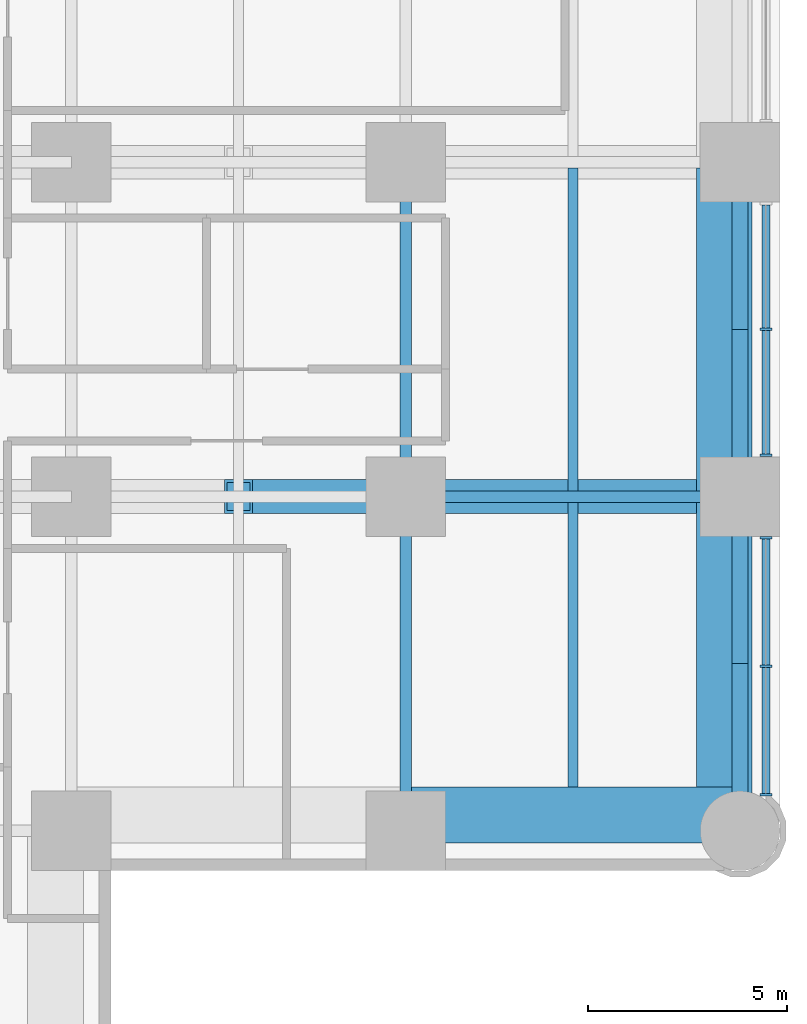
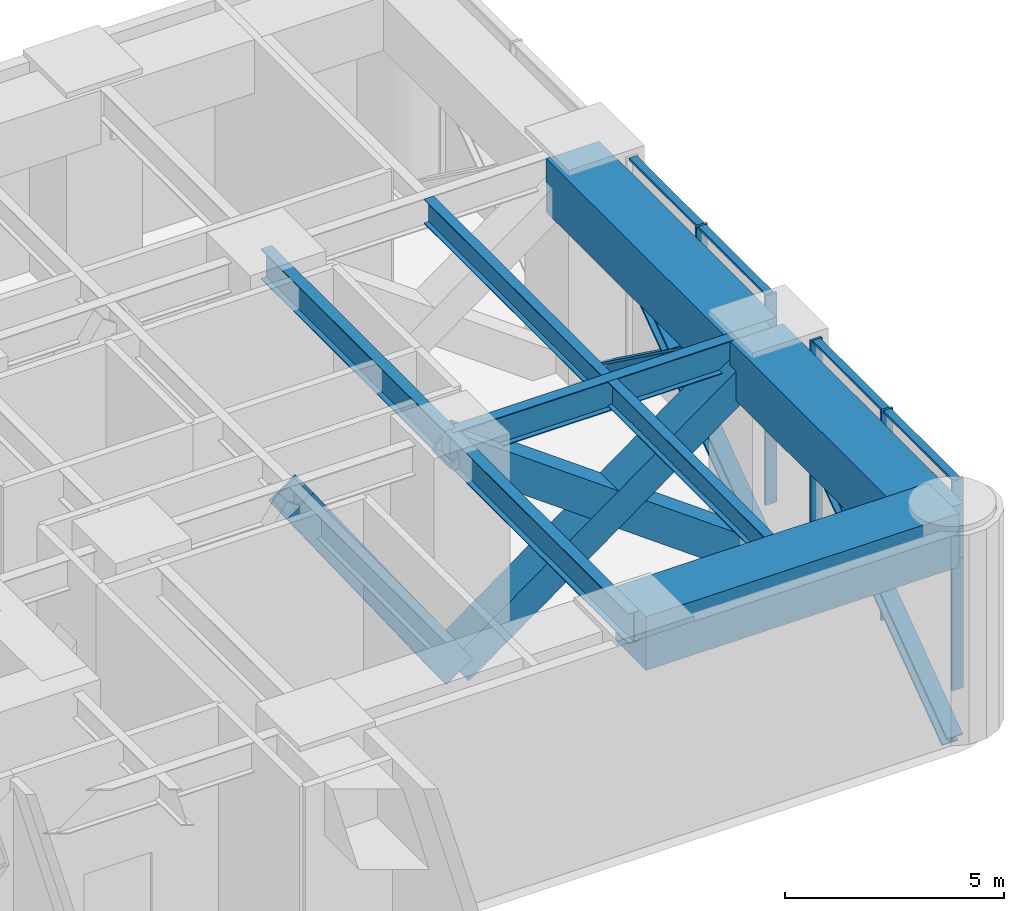
# One storey, part 4 of 12: 16 members, 8 beams, 1 element without a shape of its own.
"""IFC4 building model written with IfcOpenShell, lengths in metres."""

from ifc_helpers import new_model, si_unit, direction, frame, origin, origin_2d, place, context, subcontext, project, spatial, rectangle, hollow_rectangle, i_section, extrude, material, material_profile, profile_set, type_object, element, aggregate, save


model = new_model("IFC4")

# Units and contexts
model_context = context("Model", 3, precision=1e-05, world=origin(), true_north=direction((0.0, 1.0)))
body_context = subcontext(model_context, "Body", "Model", "MODEL_VIEW")
ifc_project = project(units=[si_unit("LENGTHUNIT", "METRE"), si_unit("AREAUNIT", "SQUARE_METRE"), si_unit("VOLUMEUNIT", "CUBIC_METRE"), si_unit("PLANEANGLEUNIT", "RADIAN"), si_unit("MASSUNIT", "GRAM", prefix="KILO")], contexts=[model_context])

# Site, building, storey
site_placement = place(None, origin())
site = spatial("IfcSite", under=ifc_project, at=site_placement, CompositionType="ELEMENT")
building_placement = place(site_placement, origin())
building = spatial("IfcBuilding", under=site, at=building_placement, Name="Torre Alcanfor", CompositionType="ELEMENT")
storey_placement = place(building_placement, frame((0.0, 0.0, 102.89990234375)))
storey = spatial("IfcBuildingStorey", under=building, at=storey_placement, Name="L26", CompositionType="ELEMENT", Elevation=102.89990234375)

# Members
ifc_material_1 = material(Name="Steel ASTM A992 Grade 50", Category="steel")
ifc_material_profile_1 = material_profile(ifc_material_1, i_section(OverallWidth=0.411376953125, OverallDepth=0.434326171875, WebThickness=0.035888671875, FlangeThickness=0.057373046875, at=origin_2d()), Name="W14x311")
ifc_profile_set_1 = profile_set([ifc_material_profile_1], Name="Steel ASTM A992 Grade 50")
member_type_1 = type_object("IfcMemberType", Name="Belt truss diagonal W14x311", PredefinedType="BRACE", material=ifc_profile_set_1)
for number, where, z_axis, x_axis, name in (
    (1, (58.800048828125, 16.800048828125, -0.64990234375), (0.0, 0.809144712888, 0.587609422665), (-1.0, 0.0, 0.0), "Belt truss L26 E arm panel 1 diagonal A"),
    (2, (58.800048828125, 25.199951171875, -0.64990234375), (0.0, -0.809144712888, 0.587609422665), (1.0, 0.0, 0.0), "Belt truss L26 E arm panel 1 diagonal B"),
):
    element("IfcMember", number, at=place(storey_placement, frame(where, z_axis=z_axis, x_axis=x_axis)), inside=storey, type_object=member_type_1, Name=name, PredefinedType="BRACE", context=body_context, shape_type="SweptSolid", body=[
        extrude(i_section(OverallWidth=0.411376953125, OverallDepth=0.434326171875, WebThickness=0.035888671875, FlangeThickness=0.057373046875, at=origin_2d()), origin(), (0.0, 0.0, 1.0), 10.381103515625),
    ])
for number, where, z_axis, x_axis, name in (
    (3, (58.800048828125, 25.199951171875, -0.64990234375), (0.0, 0.809152832909, 0.587598241144), (-1.0, 0.0, 0.0), "Belt truss L26 E arm panel 2 diagonal A"),
    (4, (58.800048828125, 33.60009765625, -0.64990234375), (0.0, -0.809152832909, 0.587598241144), (1.0, 0.0, 0.0), "Belt truss L26 E arm panel 2 diagonal B"),
):
    element("IfcMember", number, at=place(storey_placement, frame(where, z_axis=z_axis, x_axis=x_axis)), inside=storey, type_object=member_type_1, Name=name, PredefinedType="BRACE", context=body_context, shape_type="SweptSolid", body=[
        extrude(i_section(OverallWidth=0.411376953125, OverallDepth=0.434326171875, WebThickness=0.035888671875, FlangeThickness=0.057373046875, at=origin_2d()), origin(), (0.0, 0.0, 1.0), 10.38134765625),
    ])

# Curtain wall, members
ifc_material_2 = material(Name="Aluminium and glass", Category="aluminium")
curtain_wall_type = type_object("IfcCurtainWallType", Name="CW-D plant floor louvre screen", PredefinedType="NOTDEFINED", material=ifc_material_2)
curtain_wall_placement = place(storey_placement, origin())
curtain_wall = element("IfcCurtainWall", 5, at=curtain_wall_placement, inside=storey, type_object=curtain_wall_type, Name="Curtain wall CW-D L26 8", PredefinedType="NOTDEFINED")
ifc_material_3 = material(Name="Extruded aluminium", Category="aluminium")
ifc_material_profile_2 = material_profile(ifc_material_3, rectangle(XDim=0.300048828125, YDim=0.06494140625, at=origin_2d()), Name="CW-D mullion 65x300")
ifc_profile_set_2 = profile_set([ifc_material_profile_2], Name="Extruded aluminium")
member_type_2 = type_object("IfcMemberType", Name="CW-D mullion 65x300", PredefinedType="MULLION", material=ifc_profile_set_2)
member_1_placement = place(storey_placement, frame((59.449951171875, 17.7041015625, 0.0), z_axis=(0.0, 0.0, 1.0), x_axis=(-1.0, 0.0, 0.0)))
member_1 = element("IfcMember", 6, at=member_1_placement, type_object=member_type_2, Name="CW-D mullion 1.1", PredefinedType="MULLION", context=body_context, shape_type="SweptSolid", body=[
    extrude(rectangle(XDim=0.300048828125, YDim=0.06494140625, at=origin_2d()), origin(), (0.0, 0.0, 1.0), 5.85009765625),
])
member_2_placement = place(storey_placement, frame((59.449951171875, 20.933349609375, 0.0), z_axis=(0.0, 0.0, 1.0), x_axis=(-1.0, 0.0, 0.0)))
member_2 = element("IfcMember", 7, at=member_2_placement, type_object=member_type_2, Name="CW-D mullion 1.2", PredefinedType="MULLION", context=body_context, shape_type="SweptSolid", body=[
    extrude(rectangle(XDim=0.300048828125, YDim=0.06494140625, at=origin_2d()), origin(), (0.0, 0.0, 1.0), 5.85009765625),
])
member_3_placement = place(storey_placement, frame((59.449951171875, 24.16259765625, 0.0), z_axis=(0.0, 0.0, 1.0), x_axis=(-1.0, 0.0, 0.0)))
member_3 = element("IfcMember", 8, at=member_3_placement, type_object=member_type_2, Name="CW-D mullion 1.3", PredefinedType="MULLION", context=body_context, shape_type="SweptSolid", body=[
    extrude(rectangle(XDim=0.300048828125, YDim=0.06494140625, at=origin_2d()), origin(), (0.0, 0.0, 1.0), 5.85009765625),
])
member_4_placement = place(storey_placement, frame((59.449951171875, 26.237548828125, 0.0), z_axis=(0.0, 0.0, 1.0), x_axis=(-1.0, 0.0, 0.0)))
member_4 = element("IfcMember", 9, at=member_4_placement, type_object=member_type_2, Name="CW-D mullion 2.1", PredefinedType="MULLION", context=body_context, shape_type="SweptSolid", body=[
    extrude(rectangle(XDim=0.300048828125, YDim=0.06494140625, at=origin_2d()), origin(), (0.0, 0.0, 1.0), 5.85009765625),
])
member_5_placement = place(storey_placement, frame((59.449951171875, 29.39990234375, 0.0), z_axis=(0.0, 0.0, 1.0), x_axis=(-1.0, 0.0, 0.0)))
member_5 = element("IfcMember", 10, at=member_5_placement, type_object=member_type_2, Name="CW-D mullion 2.2", PredefinedType="MULLION", context=body_context, shape_type="SweptSolid", body=[
    extrude(rectangle(XDim=0.300048828125, YDim=0.06494140625, at=origin_2d()), origin(), (0.0, 0.0, 1.0), 5.85009765625),
])
ifc_material_4 = material(Name="Extruded aluminium", Category="aluminium")
ifc_material_profile_3 = material_profile(ifc_material_4, rectangle(XDim=0.199951171875, YDim=0.06494140625, at=origin_2d()), Name="CW-D transom 200x65")
ifc_profile_set_3 = profile_set([ifc_material_profile_3], Name="Extruded aluminium")
member_type_3 = type_object("IfcMemberType", Name="CW-D transom 65x200", PredefinedType="USERDEFINED", material=ifc_profile_set_3)
member_6_placement = place(storey_placement, frame((59.449951171875, 17.73681640625, 5.817626953125), z_axis=(0.0, 1.0, 0.0), x_axis=(-1.0, 0.0, 0.0)))
member_6 = element("IfcMember", 11, at=member_6_placement, type_object=member_type_3, Name="CW-D transom 1.1.2", ObjectType="TRANSOM", PredefinedType="USERDEFINED", context=body_context, shape_type="SweptSolid", body=[
    extrude(rectangle(XDim=0.199951171875, YDim=0.06494140625, at=origin_2d()), origin(), (0.0, 0.0, 1.0), 3.1640625),
])
member_7_placement = place(storey_placement, frame((59.449951171875, 20.9658203125, 5.817626953125), z_axis=(0.0, 1.0, 0.0), x_axis=(-1.0, 0.0, 0.0)))
member_7 = element("IfcMember", 12, at=member_7_placement, type_object=member_type_3, Name="CW-D transom 1.2.2", ObjectType="TRANSOM", PredefinedType="USERDEFINED", context=body_context, shape_type="SweptSolid", body=[
    extrude(rectangle(XDim=0.199951171875, YDim=0.06494140625, at=origin_2d()), origin(), (0.0, 0.0, 1.0), 3.1640625),
])
member_8_placement = place(storey_placement, frame((59.449951171875, 26.27001953125, 5.817626953125), z_axis=(0.0, 1.0, 0.0), x_axis=(-1.0, 0.0, 0.0)))
member_8 = element("IfcMember", 13, at=member_8_placement, type_object=member_type_3, Name="CW-D transom 2.1.2", ObjectType="TRANSOM", PredefinedType="USERDEFINED", context=body_context, shape_type="SweptSolid", body=[
    extrude(rectangle(XDim=0.199951171875, YDim=0.06494140625, at=origin_2d()), origin(), (0.0, 0.0, 1.0), 3.097412109375),
])
member_9_placement = place(storey_placement, frame((59.449951171875, 29.4326171875, 5.817626953125), z_axis=(0.0, 1.0, 0.0), x_axis=(-1.0, 0.0, 0.0)))
member_9 = element("IfcMember", 14, at=member_9_placement, type_object=member_type_3, Name="CW-D transom 2.2.2", ObjectType="TRANSOM", PredefinedType="USERDEFINED", context=body_context, shape_type="SweptSolid", body=[
    extrude(rectangle(XDim=0.199951171875, YDim=0.06494140625, at=origin_2d()), origin(), (0.0, 0.0, 1.0), 3.097412109375),
])
aggregate(curtain_wall, [member_1, member_2, member_3, member_6, member_7, member_4, member_5, member_8, member_9])

# Beams
ifc_material_5 = material(Name="Steel ASTM A992 Grade 50", Category="steel")
ifc_material_profile_4 = material_profile(ifc_material_5, i_section(OverallWidth=0.2919921875, OverallDepth=0.8408203125, WebThickness=0.0146484375, FlangeThickness=0.021728515625, at=origin_2d()), Name="W33x130")
ifc_profile_set_4 = profile_set([ifc_material_profile_4], Name="Steel ASTM A992 Grade 50")
beam_type_1 = type_object("IfcBeamType", Name="Girder W33x130", PredefinedType="BEAM", material=ifc_profile_set_4)
beam_1_placement = place(storey_placement, frame((50.39990234375, 25.199951171875, 5.4296875), z_axis=(1.0, 0.0, 0.0), x_axis=(0.0, 1.0, 0.0)))
element("IfcBeam", 15, at=beam_1_placement, inside=storey, type_object=beam_type_1, Name="Beam 7F-8F under L27", PredefinedType="BEAM", context=body_context, shape_type="SweptSolid", body=[
    extrude(i_section(OverallWidth=0.2919921875, OverallDepth=0.8408203125, WebThickness=0.0146484375, FlangeThickness=0.021728515625, at=origin_2d()), origin(), (0.0, 0.0, 1.0), 8.400146484375),
])
beam_2_placement = place(storey_placement, frame((50.39990234375, 16.800048828125, 5.4296875), z_axis=(0.0, 1.0, 0.0), x_axis=(-1.0, 0.0, 0.0)))
element("IfcBeam", 16, at=beam_2_placement, inside=storey, type_object=beam_type_1, Name="Beam 7E-7F under L27", PredefinedType="BEAM", context=body_context, shape_type="SweptSolid", body=[
    extrude(i_section(OverallWidth=0.2919921875, OverallDepth=0.8408203125, WebThickness=0.0146484375, FlangeThickness=0.021728515625, at=origin_2d()), origin(), (0.0, 0.0, 1.0), 8.39990234375),
])
beam_3_placement = place(storey_placement, frame((50.39990234375, 25.199951171875, 5.4296875), z_axis=(0.0, 1.0, 0.0), x_axis=(-1.0, 0.0, 0.0)))
element("IfcBeam", 17, at=beam_3_placement, inside=storey, type_object=beam_type_1, Name="Beam 7F-7G under L27", PredefinedType="BEAM", context=body_context, shape_type="SweptSolid", body=[
    extrude(i_section(OverallWidth=0.2919921875, OverallDepth=0.8408203125, WebThickness=0.0146484375, FlangeThickness=0.021728515625, at=origin_2d()), origin(), (0.0, 0.0, 1.0), 8.400146484375),
])

# Members
ifc_material_6 = material(Name="Steel ASTM A572 Grade 50 plate", Category="steel")
ifc_material_profile_5 = material_profile(ifc_material_6, hollow_rectangle(XDim=0.85009765625, YDim=0.85009765625, WallThickness=0.070068359375, at=origin_2d()), Name="BOX 850x850x70")
ifc_profile_set_5 = profile_set([ifc_material_profile_5], Name="Steel ASTM A572 Grade 50 plate")
member_type_4 = type_object("IfcMemberType", Name="Outrigger truss diagonal BOx850x850x70", PredefinedType="BRACE", material=ifc_profile_set_5)
member_10_placement = place(storey_placement, frame((50.39990234375, 25.199951171875, -0.64990234375), z_axis=(-0.567091101321, 0.0, 0.823655075139), x_axis=(0.0, -1.0, 0.0)))
element("IfcMember", 18, at=member_10_placement, inside=storey, type_object=member_type_4, Name="Outrigger truss L26 E arm grid 25.2 panel 2 diagonal B", PredefinedType="BRACE", context=body_context, shape_type="SweptSolid", body=[
    extrude(hollow_rectangle(XDim=0.85009765625, YDim=0.85009765625, WallThickness=0.070068359375, at=origin_2d()), origin(), (0.0, 0.0, 1.0), 7.40625),
])
for number, where, z_axis, x_axis, name in (
    (19, (50.39990234375, 25.199951171875, -0.64990234375), (0.809152832909, 0.0, 0.587598241144), (0.0, 1.0, 0.0), "Outrigger truss L26 E arm grid 25.2 panel 3 diagonal A"),
    (20, (58.800048828125, 25.199951171875, -0.64990234375), (-0.809152832909, 0.0, 0.587598241144), (0.0, -1.0, 0.0), "Outrigger truss L26 E arm grid 25.2 panel 3 diagonal B"),
):
    element("IfcMember", number, at=place(storey_placement, frame(where, z_axis=z_axis, x_axis=x_axis)), inside=storey, type_object=member_type_4, Name=name, PredefinedType="BRACE", context=body_context, shape_type="SweptSolid", body=[
        extrude(hollow_rectangle(XDim=0.85009765625, YDim=0.85009765625, WallThickness=0.070068359375, at=origin_2d()), origin(), (0.0, 0.0, 1.0), 10.38134765625),
    ])

# Beams
ifc_material_7 = material(Name="Concrete f'c 70 MPa", Category="concrete")
ifc_material_profile_6 = material_profile(ifc_material_7, rectangle(XDim=1.39990234375, YDim=1.5, at=origin_2d()), Name="1400x1500")
ifc_profile_set_6 = profile_set([ifc_material_profile_6], Name="Concrete f'c 70 MPa")
beam_type_2 = type_object("IfcBeamType", Name="RC perimeter beam 1400x1500", PredefinedType="BEAM", material=ifc_profile_set_6)
beam_4_placement = place(storey_placement, frame((50.5458984375, 17.199951171875, 5.10009765625), z_axis=(1.0, 0.0, 0.0), x_axis=(0.0, 1.0, 0.0)))
element("IfcBeam", 21, at=beam_4_placement, inside=storey, type_object=beam_type_2, Name="Beam 7E-8E under L27", PredefinedType="BEAM", context=body_context, shape_type="SweptSolid", body=[
    extrude(rectangle(XDim=1.39990234375, YDim=1.5, at=origin_2d()), origin(), (0.0, 0.0, 1.0), 8.254150390625),
])
beam_5_placement = place(storey_placement, frame((58.39990234375, 16.800048828125, 5.10009765625), z_axis=(0.0, 1.0, 0.0), x_axis=(-1.0, 0.0, 0.0)))
element("IfcBeam", 22, at=beam_5_placement, inside=storey, type_object=beam_type_2, Name="Beam 8E-8F under L27", PredefinedType="BEAM", context=body_context, shape_type="SweptSolid", body=[
    extrude(rectangle(XDim=1.39990234375, YDim=1.5, at=origin_2d()), origin(), (0.0, 0.0, 1.0), 8.25390625),
])
beam_6_placement = place(storey_placement, frame((58.39990234375, 25.345947265625, 5.10009765625), z_axis=(0.0, 1.0, 0.0), x_axis=(-1.0, 0.0, 0.0)))
element("IfcBeam", 23, at=beam_6_placement, inside=storey, type_object=beam_type_2, Name="Beam 8F-8G under L27", PredefinedType="BEAM", context=body_context, shape_type="SweptSolid", body=[
    extrude(rectangle(XDim=1.39990234375, YDim=1.5, at=origin_2d()), origin(), (0.0, 0.0, 1.0), 8.108154296875),
])
ifc_material_8 = material(Name="Steel ASTM A992 Grade 50", Category="steel")
ifc_material_profile_7 = material_profile(ifc_material_8, i_section(OverallWidth=0.25390625, OverallDepth=0.683349609375, WebThickness=0.012451171875, FlangeThickness=0.01904296875, at=origin_2d()), Name="W27x94")
ifc_profile_set_7 = profile_set([ifc_material_profile_7], Name="Steel ASTM A992 Grade 50")
beam_type_3 = type_object("IfcBeamType", Name="Secondary beam W27x94", PredefinedType="BEAM", material=ifc_profile_set_7)
beam_7_placement = place(storey_placement, frame((54.60009765625, 17.89990234375, 5.508544921875), z_axis=(0.0, 1.0, 0.0), x_axis=(-1.0, 0.0, 0.0)))
element("IfcBeam", 24, at=beam_7_placement, inside=storey, type_object=beam_type_3, Name="Beam 54_6E-54_6F under L27", PredefinedType="BEAM", context=body_context, shape_type="SweptSolid", body=[
    extrude(i_section(OverallWidth=0.25390625, OverallDepth=0.683349609375, WebThickness=0.012451171875, FlangeThickness=0.01904296875, at=origin_2d()), origin(), (0.0, 0.0, 1.0), 7.154052734375),
])
beam_8_placement = place(storey_placement, frame((54.60009765625, 25.345947265625, 5.508544921875), z_axis=(0.0, 1.0, 0.0), x_axis=(-1.0, 0.0, 0.0)))
element("IfcBeam", 25, at=beam_8_placement, inside=storey, type_object=beam_type_3, Name="Beam 54_6F-54_6G under L27", PredefinedType="BEAM", context=body_context, shape_type="SweptSolid", body=[
    extrude(i_section(OverallWidth=0.25390625, OverallDepth=0.683349609375, WebThickness=0.012451171875, FlangeThickness=0.01904296875, at=origin_2d()), origin(), (0.0, 0.0, 1.0), 8.108154296875),
])

save(model, "model.ifc")
